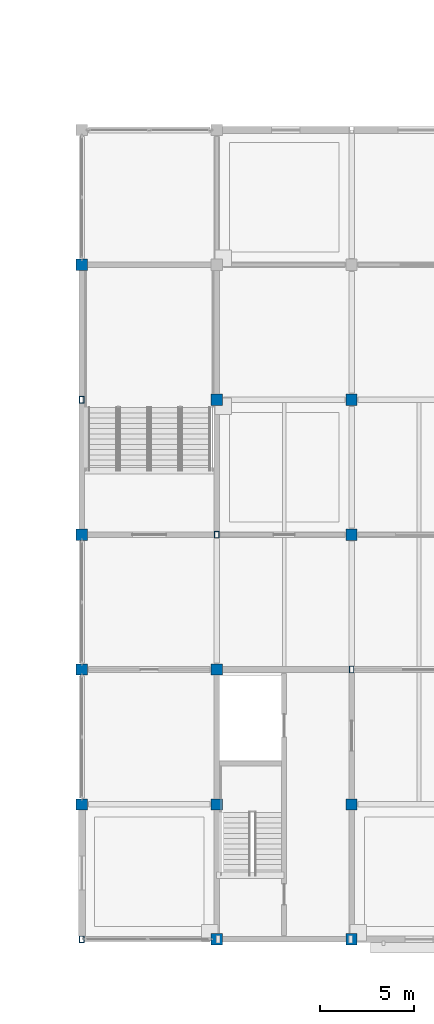
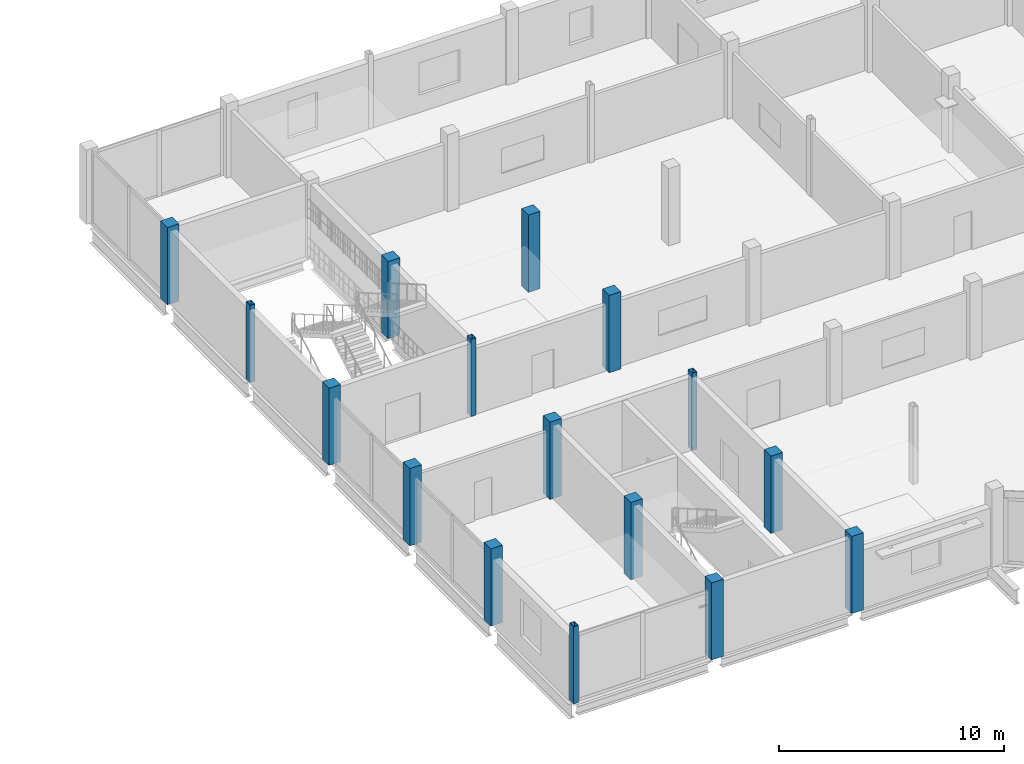
# One storey, part 1 of 51: 16 columns.
"""IFC4 building model written with IfcOpenShell, lengths in metres."""

import ifcopenshell
import ifcopenshell.guid

model = None  # the IFC model being written
_history = None  # IfcOwnerHistory: only IFC2X3 demands one
_inside = {}  # id of a spatial element -> (the spatial element, [elements in it])
_under = {}  # id of a project, library or spatial element -> (it, [spatial elements below it])
_declared = {}  # id of a project -> (the project, [libraries it declares])
_typed = {}  # id of a type object -> (the type object, [elements of that type])
_made_of = {}  # id of a material, layer set ... -> (it, [elements and type objects made of it])


def new_model(schema):
    """Start an empty IFC model of exactly this schema.

    Asked for "IFC4X3", IfcOpenShell would pick the latest addendum, in which some entities
    have other attributes; the version numbers below select the first issue.
    IFC2X3 requires an IfcOwnerHistory on every rooted entity: one is made here for all.
    """
    global model, _history
    if schema == "IFC4X3":
        model = ifcopenshell.file(schema_version=(4, 3, 0, 0))
    else:
        model = ifcopenshell.file(schema=schema)
    _inside.clear()
    _under.clear()
    _declared.clear()
    _typed.clear()
    _made_of.clear()
    _history = None
    if model.schema == "IFC2X3":
        org = make("IfcOrganization", Name="unknown")
        user = make(
            "IfcPersonAndOrganization",
            ThePerson=make("IfcPerson", FamilyName="unknown"),
            TheOrganization=org,
        )
        app = make(
            "IfcApplication",
            ApplicationDeveloper=org,
            Version="unknown",
            ApplicationFullName="unknown",
            ApplicationIdentifier="unknown",
        )
        _history = make(
            "IfcOwnerHistory",
            OwningUser=user,
            OwningApplication=app,
            ChangeAction="ADDED",
            CreationDate=0,
        )
    return model


def make(cls, **values):
    """One entity of the class cls with the attributes given. An attribute that is None is left unset."""
    return model.create_entity(
        cls, **{name: value for name, value in values.items() if value is not None}
    )


def rooted(cls, **values):
    """An entity with a GlobalId (a new one), such as an element, a storey or a relation."""
    return make(cls, GlobalId=ifcopenshell.guid.new(), OwnerHistory=_history, **values)


def si_unit(unit_type, name, prefix=None):
    """IfcSIUnit, for example si_unit("LENGTHUNIT", "METRE", prefix="MILLI")."""
    return make("IfcSIUnit", UnitType=unit_type, Prefix=prefix, Name=name)


def assignment(units):
    """IfcUnitAssignment: the units of a project."""
    return None if units is None else make("IfcUnitAssignment", Units=units)


def point(xyz):
    """IfcCartesianPoint."""
    return None if xyz is None else make("IfcCartesianPoint", Coordinates=xyz)


def direction(xyz):
    """IfcDirection."""
    return None if xyz is None else make("IfcDirection", DirectionRatios=xyz)


def frame(location, z_axis=None, x_axis=None):
    """IfcAxis2Placement3D, a coordinate frame: its origin and axes. An axis left out is left unset."""
    return make(
        "IfcAxis2Placement3D",
        Location=point(location),
        Axis=direction(z_axis),
        RefDirection=direction(x_axis),
    )


def frame_2d(location, x_axis=None):
    """IfcAxis2Placement2D, a coordinate frame in the plane: its origin and x axis."""
    return make(
        "IfcAxis2Placement2D", Location=point(location), RefDirection=direction(x_axis)
    )


def origin():
    """The frame at (0, 0, 0) with its axes left unset."""
    return frame((0.0, 0.0, 0.0))


def origin_2d():
    """The frame at (0, 0) in the plane with its x axis left unset."""
    return frame_2d((0.0, 0.0))


def place(relative_to, where):
    """IfcLocalPlacement: puts the frame where relative to a parent placement (None: the world)."""
    return make(
        "IfcLocalPlacement", PlacementRelTo=relative_to, RelativePlacement=where
    )


def context(
    kind, dimensions, precision=None, world=None, true_north=None, identifier=None
):
    """IfcGeometricRepresentationContext, for example the 3D "Model" context."""
    return make(
        "IfcGeometricRepresentationContext",
        ContextIdentifier=identifier,
        ContextType=kind,
        CoordinateSpaceDimension=dimensions,
        Precision=precision,
        WorldCoordinateSystem=world,
        TrueNorth=true_north,
    )


def subcontext(parent, identifier, kind, view, scale=None):
    """IfcGeometricRepresentationSubContext, for example "Body" below "Model"."""
    return make(
        "IfcGeometricRepresentationSubContext",
        ContextIdentifier=identifier,
        ContextType=kind,
        ParentContext=parent,
        TargetScale=scale,
        TargetView=view,
    )


def project(units=None, contexts=None):
    """IfcProject with its units and contexts."""
    return rooted(
        "IfcProject",
        Name="project",
        RepresentationContexts=contexts,
        UnitsInContext=assignment(units),
    )


def spatial(cls, under=None, at=None, **own):
    """A site, building, storey or space (cls), placed at a placement, below another one or the project."""
    s = rooted(cls, ObjectPlacement=at, **own)
    if under is not None:
        _under.setdefault(under.id(), (under, []))[1].append(s)
    return s


def profile(cls, at=None, kind="AREA", **sizes):
    """A parametric profile (cls). Its sizes go by their IFC names, for example OverallWidth=200.0."""
    return make(cls, ProfileType=kind, Position=at, **sizes)


def rectangle(**sizes):
    """IfcRectangleProfileDef."""
    return profile("IfcRectangleProfileDef", **sizes)


def hollow_rectangle(**sizes):
    """IfcRectangleHollowProfileDef."""
    return profile("IfcRectangleHollowProfileDef", **sizes)


def extrude(swept, where, along, depth):
    """IfcExtrudedAreaSolid: the profile swept, set in the frame where, extruded along a direction by depth."""
    return make(
        "IfcExtrudedAreaSolid",
        SweptArea=swept,
        Position=where,
        ExtrudedDirection=direction(along),
        Depth=depth,
    )


def shape(context_of_items, identifier, shape_type, items):
    """IfcShapeRepresentation: the items that make up one representation, for example the "Body"."""
    return make(
        "IfcShapeRepresentation",
        ContextOfItems=context_of_items,
        RepresentationIdentifier=identifier,
        RepresentationType=shape_type,
        Items=items,
    )


def material(Name=None, Category=None):
    """IfcMaterial."""
    return make("IfcMaterial", Name=Name, Category=Category)


def material_profile(
    of_material, cross_section, Name=None, Category=None, Priority=None
):
    """IfcMaterialProfile: a cross section and its material."""
    return make(
        "IfcMaterialProfile",
        Name=Name,
        Material=of_material,
        Profile=cross_section,
        Priority=Priority,
        Category=Category,
    )


def profile_set(profiles, Name=None, composite=None):
    """IfcMaterialProfileSet."""
    return make(
        "IfcMaterialProfileSet",
        Name=Name,
        MaterialProfiles=profiles,
        CompositeProfile=composite,
    )


def made_of(thing, what):
    """Note that an element or type object is made of a material, layer set ...; save() writes the relation."""
    if what is not None:
        _made_of.setdefault(what.id(), (what, []))[1].append(thing)
    return thing


def type_object(cls, material=None, **own):
    """A type object (cls), such as IfcWallType, which elements share."""
    return made_of(rooted(cls, **own), material)


def element(
    cls,
    number,
    at=None,
    inside=None,
    cuts=None,
    type_object=None,
    material=None,
    context=None,
    identifier="Body",
    shape_type=None,
    held_by="IfcProductDefinitionShape",
    body=None,
    shapes=None,
    **own,
):
    """One element of the class cls, such as IfcWall. Its Tag is "e" and its number.

    at: its placement. inside: the storey or other place that contains it. cuts: it is an
    opening in that element (IfcRelVoidsElement). A single representation is given by context,
    identifier, shape_type and body (its items); several are given by shapes. held_by: the class
    of the entity that holds the representations. save() writes the other relations.
    """
    e = rooted(cls, Tag="e%d" % number, ObjectPlacement=at, **own)
    if body is not None:
        shapes = [shape(context, identifier, shape_type, body)]
    if shapes is not None:
        e.Representation = make(held_by, Representations=shapes)
    if inside is not None:
        _inside.setdefault(inside.id(), (inside, []))[1].append(e)
    if cuts is not None:
        rooted(
            "IfcRelVoidsElement", RelatingBuildingElement=cuts, RelatedOpeningElement=e
        )
    if type_object is not None:
        _typed.setdefault(type_object.id(), (type_object, []))[1].append(e)
    return made_of(e, material)


def aggregate(whole, parts):
    """IfcRelAggregates: a whole, such as a stair, and the parts it consists of."""
    return rooted("IfcRelAggregates", RelatingObject=whole, RelatedObjects=parts)


def save(model, path):
    """Write the relations noted so far, then the file.

    IfcRelAggregates (storeys below a building ...), IfcRelContainedInSpatialStructure (elements
    in a storey), IfcRelDefinesByType, IfcRelAssociatesMaterial and IfcRelDeclares: one each for
    every whole, place, type object, material and project.
    """
    for whole, parts in _under.values():
        aggregate(whole, parts)
    for where, things in _inside.values():
        rooted(
            "IfcRelContainedInSpatialStructure",
            RelatedElements=things,
            RelatingStructure=where,
        )
    for kind, things in _typed.values():
        rooted("IfcRelDefinesByType", RelatedObjects=things, RelatingType=kind)
    for what, things in _made_of.values():
        rooted("IfcRelAssociatesMaterial", RelatedObjects=things, RelatingMaterial=what)
    for by, libraries in _declared.values():
        rooted("IfcRelDeclares", RelatingContext=by, RelatedDefinitions=libraries)
    model.write(path)


model = new_model("IFC4")

# Units and contexts
model_context = context("Model", 3, precision=1e-05, world=origin(), true_north=direction((0.0, 1.0)))
body_context = subcontext(model_context, "Body", "Model", "MODEL_VIEW")
ifc_project = project(units=[si_unit("LENGTHUNIT", "METRE"), si_unit("AREAUNIT", "SQUARE_METRE"), si_unit("VOLUMEUNIT", "CUBIC_METRE"), si_unit("PLANEANGLEUNIT", "RADIAN"), si_unit("MASSUNIT", "GRAM", prefix="KILO")], contexts=[model_context])

# Site, building, storey
site_placement = place(None, origin())
site = spatial("IfcSite", under=ifc_project, at=site_placement, CompositionType="ELEMENT")
building_placement = place(site_placement, origin())
building = spatial("IfcBuilding", under=site, at=building_placement, Name="Vesperath Aquatics Centre", CompositionType="ELEMENT")
storey_placement = place(building_placement, frame((0.0, 0.0, 15.0)))
storey = spatial("IfcBuildingStorey", under=building, at=storey_placement, Name="L03", CompositionType="ELEMENT", Elevation=15.0)

# Columns
ifc_material_1 = material(Name="Concrete C40", Category="concrete")
ifc_material_profile_1 = material_profile(ifc_material_1, rectangle(XDim=0.60009765625, YDim=0.60009765625, at=origin_2d()), Name="RC 600x600")
ifc_profile_set_1 = profile_set([ifc_material_profile_1], Name="Concrete C40")
column_type_1 = type_object("IfcColumnType", Name="CL-C06", PredefinedType="COLUMN", material=ifc_profile_set_1)
for number, where, z_axis, x_axis, name in (
    (1, (115.199951171875, 7.199951171875, 0.0), (0.0, 0.0, 1.0), (1.0, 0.0, 0.0), "Column C06 L03 17/B"),
    (2, (115.199951171875, 14.39990234375, 0.0), (0.0, 0.0, 1.0), (1.0, 0.0, 0.0), "Column C06 L03 17/C"),
    (3, (115.199951171875, 21.60009765625, 0.0), (0.0, 0.0, 1.0), (1.0, 0.0, 0.0), "Column C06 L03 17/D"),
    (4, (115.199951171875, 36.0, 0.0), (0.0, 0.0, 1.0), (1.0, 0.0, 0.0), "Column C06 L03 17/F"),
    (5, (122.39990234375, 0.0, 0.0), (0.0, 0.0, 1.0), (1.0, 0.0, 0.0), "Column C06 L03 18/A"),
    (6, (122.39990234375, 7.199951171875, 0.0), (0.0, 0.0, 1.0), (1.0, 0.0, 0.0), "Column C06 L03 18/B"),
    (7, (122.39990234375, 14.39990234375, 0.0), (0.0, 0.0, 1.0), (1.0, 0.0, 0.0), "Column C06 L03 18/C"),
    (8, (122.39990234375, 28.800048828125, 0.0), (0.0, 0.0, 1.0), (1.0, 0.0, 0.0), "Column C06 L03 18/E"),
    (9, (129.60009765625, 0.0, 0.0), (0.0, 0.0, 1.0), (1.0, 0.0, 0.0), "Column C06 L03 19/A"),
    (10, (129.60009765625, 7.199951171875, 0.0), (0.0, 0.0, 1.0), (1.0, 0.0, 0.0), "Column C06 L03 19/B"),
    (11, (129.60009765625, 21.60009765625, 0.0), (0.0, 0.0, 1.0), (1.0, 0.0, 0.0), "Column C06 L03 19/D"),
    (12, (129.60009765625, 28.800048828125, 0.0), (0.0, 0.0, 1.0), (1.0, 0.0, 0.0), "Column C06 L03 19/E"),
):
    element("IfcColumn", number, at=place(storey_placement, frame(where, z_axis=z_axis, x_axis=x_axis)), inside=storey, type_object=column_type_1, Name=name, PredefinedType="COLUMN", context=body_context, shape_type="SweptSolid", body=[
        extrude(rectangle(XDim=0.60009765625, YDim=0.60009765625, at=origin_2d()), origin(), (0.0, 0.0, 1.0), 4.199951171875),
    ])
ifc_material_2 = material(Name="Steel Q355C", Category="steel")
ifc_material_profile_2 = material_profile(ifc_material_2, hollow_rectangle(XDim=0.25, YDim=0.35009765625, WallThickness=0.011962890625, at=origin_2d()), Name="RHS 350x250x12")
ifc_profile_set_2 = profile_set([ifc_material_profile_2], Name="Steel Q355C")
column_type_2 = type_object("IfcColumnType", Name="CL-C16", PredefinedType="COLUMN", material=ifc_profile_set_2)
for number, where, z_axis, x_axis, name in (
    (13, (115.199951171875, 0.0, 0.0), (0.0, 0.0, 1.0), (1.0, 0.0, 0.0), "Column C16 L03 17/A"),
    (14, (115.199951171875, 28.800048828125, 0.0), (0.0, 0.0, 1.0), (1.0, 0.0, 0.0), "Column C16 L03 17/E"),
    (15, (122.39990234375, 21.60009765625, 0.0), (0.0, 0.0, 1.0), (1.0, 0.0, 0.0), "Column C16 L03 18/D"),
    (16, (129.60009765625, 14.39990234375, 0.0), (0.0, 0.0, 1.0), (1.0, 0.0, 0.0), "Column C16 L03 19/C"),
):
    element("IfcColumn", number, at=place(storey_placement, frame(where, z_axis=z_axis, x_axis=x_axis)), inside=storey, type_object=column_type_2, Name=name, PredefinedType="COLUMN", context=body_context, shape_type="SweptSolid", body=[
        extrude(hollow_rectangle(XDim=0.25, YDim=0.35009765625, WallThickness=0.011962890625, at=origin_2d()), origin(), (0.0, 0.0, 1.0), 4.199951171875),
    ])

save(model, "model.ifc")
